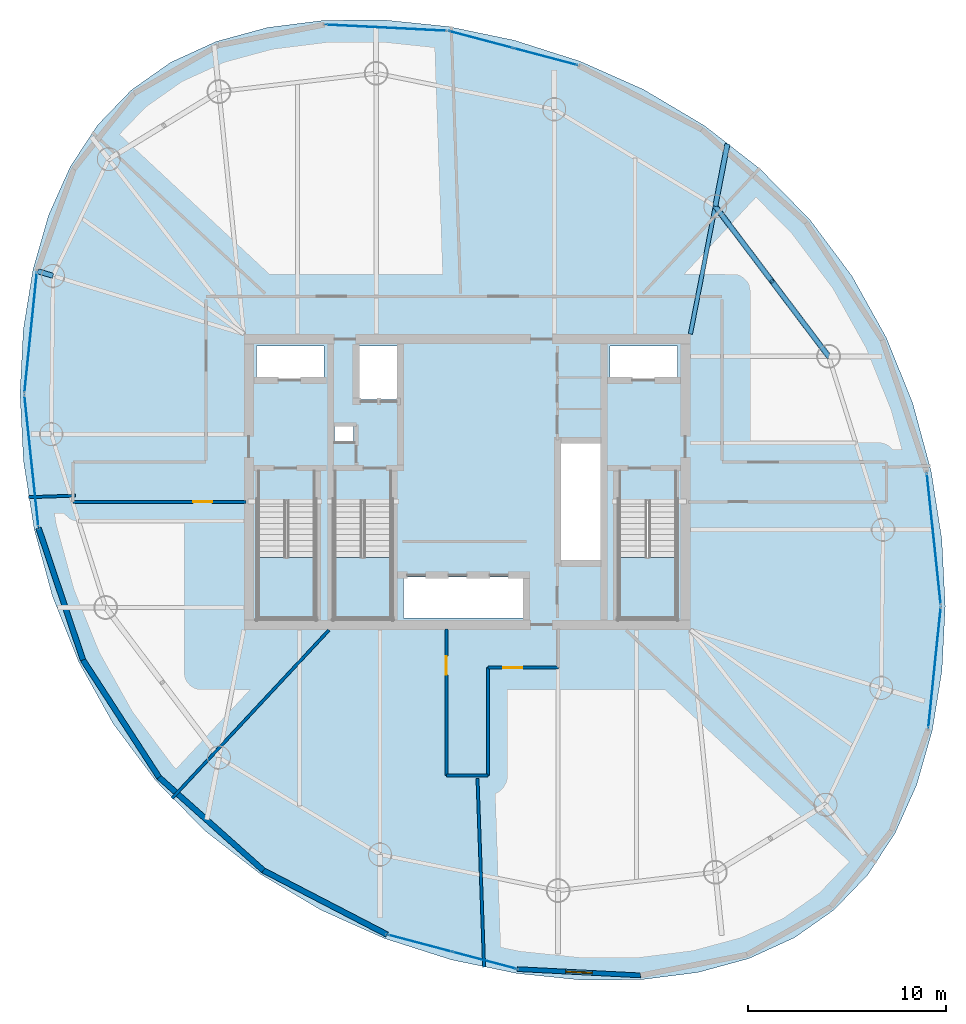
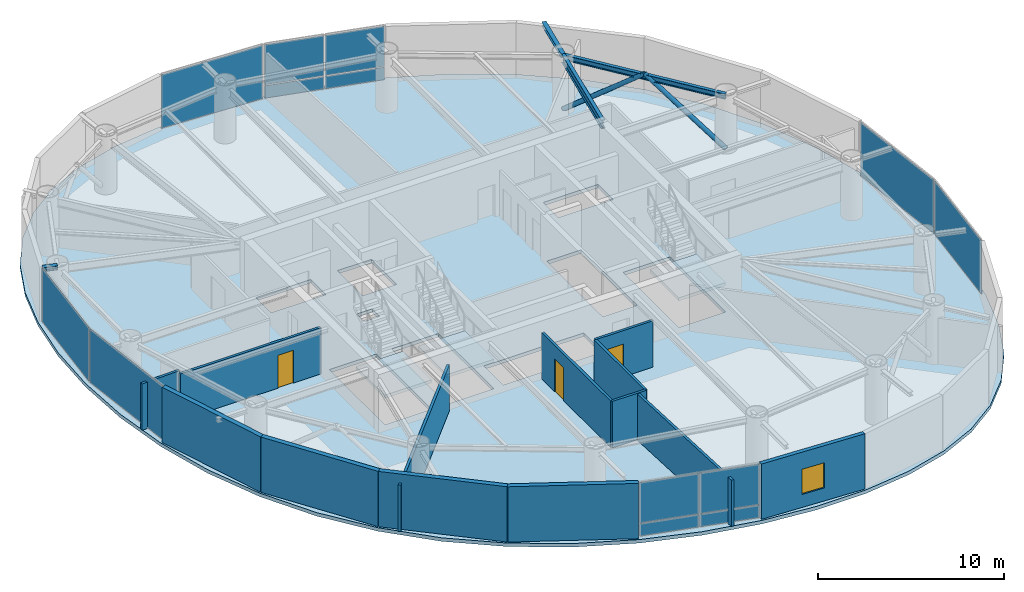
# One storey, part 14 of 20: 13 plates, 13 walls, 4 beams, 4 slabs, 3 doors, 2 members, 1 window, 4 openings, 10 elements without a shape of their own.
"""IFC4 building model written with IfcOpenShell, lengths in metres."""

from ifc_helpers import new_model, si_unit, direction, frame, frame_2d, origin, origin_2d, place, context, subcontext, project, spatial, polyline, rectangle, hollow_circle, i_section, outline, extrude, material, layer, layer_set, material_profile, profile_set, type_object, element, fill, aggregate, save


model = new_model("IFC4")

# Units and contexts
model_context = context("Model", 3, precision=1e-05, world=origin(), true_north=direction((0.0, 1.0)))
body_context = subcontext(model_context, "Body", "Model", "MODEL_VIEW")
ifc_project = project(units=[si_unit("LENGTHUNIT", "METRE"), si_unit("AREAUNIT", "SQUARE_METRE"), si_unit("VOLUMEUNIT", "CUBIC_METRE"), si_unit("PLANEANGLEUNIT", "RADIAN"), si_unit("MASSUNIT", "GRAM", prefix="KILO")], contexts=[model_context])

# Site, building, storey
site_placement = place(None, origin())
site = spatial("IfcSite", under=ifc_project, at=site_placement, CompositionType="ELEMENT")
building_placement = place(site_placement, origin())
building = spatial("IfcBuilding", under=site, at=building_placement, Name="Bramvorn Convention Spire", CompositionType="ELEMENT")
storey_placement = place(building_placement, frame((0.0, 0.0, 228.949951171875)))
storey = spatial("IfcBuildingStorey", under=building, at=storey_placement, Name="L58", CompositionType="ELEMENT", Elevation=228.949951171875)

# Beams
ifc_material_1 = material(Name="Steel CSA G40.21 Grade 350 (350W)", Category="steel")
ifc_material_profile_1 = material_profile(ifc_material_1, i_section(OverallWidth=0.25390625, OverallDepth=0.2529296875, WebThickness=0.008544921875, FlangeThickness=0.01416015625, FilletRadius=0.011962890625, at=origin_2d()))
ifc_profile_set_1 = profile_set([ifc_material_profile_1], Name="Steel CSA G40.21 Grade 350 (350W) - W250X73")
beam_type_1 = type_object("IfcBeamType", Name="BM-W250X73", PredefinedType="BEAM", material=ifc_profile_set_1)
beam_1_placement = place(storey_placement, frame((50.501953125, 39.885009765625, 3.49365234375), z_axis=(0.190977895588, 0.981594337492, 0.0), x_axis=(-0.981594337492, 0.190977895588, 0.0)))
element("IfcBeam", 1, at=beam_1_placement, inside=storey, type_object=beam_type_1, Name="L58 slab-edge cantilever tip beam MC05", PredefinedType="BEAM", context=body_context, shape_type="SweptSolid", body=[
    extrude(i_section(OverallWidth=0.25390625, OverallDepth=0.2529296875, WebThickness=0.008544921875, FlangeThickness=0.01416015625, FilletRadius=0.011962890625, at=origin_2d()), origin(), (0.0, 0.0, 1.0), 3.19970703125),
])
beam_2_placement = place(storey_placement, frame((17.136962890625, 36.380615234375, 3.49365234375), z_axis=(-0.956599941343, 0.291404447841, 0.0), x_axis=(-0.291404447841, -0.956599941343, 0.0)))
element("IfcBeam", 2, at=beam_2_placement, inside=storey, type_object=beam_type_1, Name="L58 slab-edge cantilever tip beam MC10", PredefinedType="BEAM", context=body_context, shape_type="SweptSolid", body=[
    extrude(i_section(OverallWidth=0.25390625, OverallDepth=0.2529296875, WebThickness=0.008544921875, FlangeThickness=0.01416015625, FilletRadius=0.011962890625, at=origin_2d()), origin(), (0.0, 0.0, 1.0), 0.800048828125),
])
ifc_material_profile_2 = material_profile(ifc_material_1, i_section(OverallWidth=0.205078125, OverallDepth=0.35400390625, WebThickness=0.009521484375, FlangeThickness=0.016845703125, FilletRadius=0.014892578125, at=origin_2d()))
ifc_profile_set_2 = profile_set([ifc_material_profile_2], Name="Steel CSA G40.21 Grade 350 (350W) - W360X79")
beam_type_2 = type_object("IfcBeamType", Name="BM-W360X79", PredefinedType="JOIST", material=ifc_profile_set_2)
beam_3_placement = place(storey_placement, frame((56.21044921875, 32.327392578125, 3.443115234375), z_axis=(-0.602718581414, 0.797953827999, 0.0), x_axis=(-0.797953827999, -0.602718581414, 0.0)))
element("IfcBeam", 3, at=beam_3_placement, inside=storey, type_object=beam_type_2, Name="L58 mega-column ring beam 04", PredefinedType="JOIST", context=body_context, shape_type="SweptSolid", body=[
    extrude(i_section(OverallWidth=0.205078125, OverallDepth=0.35400390625, WebThickness=0.009521484375, FlangeThickness=0.016845703125, FilletRadius=0.014892578125, at=origin_2d()), origin(), (0.0, 0.0, 1.0), 9.47119140625),
])
ifc_material_profile_3 = material_profile(ifc_material_1, i_section(OverallWidth=0.2119140625, OverallDepth=0.5439453125, WebThickness=0.01318359375, FlangeThickness=0.021240234375, FilletRadius=0.01904296875, at=origin_2d()))
ifc_profile_set_3 = profile_set([ifc_material_profile_3], Name="Steel CSA G40.21 Grade 350 (350W) - W530X123")
beam_type_3 = type_object("IfcBeamType", Name="BM-W530X123", PredefinedType="BEAM", material=ifc_profile_set_3)
beam_4_placement = place(storey_placement, frame((49.25, 33.449951171875, 3.34814453125), z_axis=(0.190971329886, 0.981595614885, 0.0), x_axis=(-0.981595614885, 0.190971329886, 0.0)))
element("IfcBeam", 4, at=beam_4_placement, inside=storey, type_object=beam_type_3, Name="L58 radial floor girder MC05", PredefinedType="BEAM", context=body_context, shape_type="SweptSolid", body=[
    extrude(i_section(OverallWidth=0.2119140625, OverallDepth=0.5439453125, WebThickness=0.01318359375, FlangeThickness=0.021240234375, FilletRadius=0.01904296875, at=origin_2d()), origin(), (0.0, 0.0, 1.0), 6.5556640625),
])

# Members
ifc_material_profile_4 = material_profile(ifc_material_1, hollow_circle(Radius=0.136474609375, WallThickness=0.0126953125, at=origin_2d()))
ifc_profile_set_4 = profile_set([ifc_material_profile_4], Name="Steel CSA G40.21 Grade 350 (350W) - CHS273X13")
member_type = type_object("IfcMemberType", Name="MBR-CHS273X13", PredefinedType="BRACE", material=ifc_profile_set_4)
for number, where, z_axis, x_axis, name in (
    (5, (56.21044921875, 32.327392578125, 0.0), (-0.478834801206, 0.633941070316, 0.607318658137), (-0.797953827999, -0.602718581414, 0.0), "L58 perimeter Gothic lancet brace 4A"),
    (6, (50.501953125, 39.885009765625, 0.0), (0.478834801206, -0.633941070316, 0.607318658137), (0.797953827999, 0.602718581414, 0.0), "L58 perimeter Gothic lancet brace 4B"),
):
    element("IfcMember", number, at=place(storey_placement, frame(where, z_axis=z_axis, x_axis=x_axis)), inside=storey, type_object=member_type, Name=name, PredefinedType="BRACE", context=body_context, shape_type="SweptSolid", body=[
        extrude(hollow_circle(Radius=0.136474609375, WallThickness=0.0126953125, at=origin_2d()), origin(), (0.0, 0.0, 1.0), 5.9609375),
    ])

# Curtain wall, plate
ifc_material_2 = material(Name="Anodised Bronze Unitised Curtain Wall", Category="aluminium")
ifc_layer_1 = layer(ifc_material_2, 0.179931640625)
ifc_layer_set_1 = layer_set([ifc_layer_1], Name="Anodised Bronze Unitised Curtain Wall - CW-OFF-FRIT")
curtain_wall_type = type_object("IfcCurtainWallType", Name="CW-OFF-FRIT", PredefinedType="USERDEFINED", material=ifc_layer_set_1)
curtain_wall_1_placement = place(storey_placement, origin())
curtain_wall_1 = element("IfcCurtainWall", 7, at=curtain_wall_1_placement, inside=storey, type_object=curtain_wall_type, Name="L58 fritted glass curtain wall 03", ObjectType="UNITISED CURTAIN WALL", PredefinedType="USERDEFINED")
ifc_material_3 = material(Name="Laminated Low-E Glass (Triple IGU Solar Bronze Frit 28%)", Category="glass")
ifc_layer_2 = layer(ifc_material_3, 0.0400390625)
ifc_layer_set_2 = layer_set([ifc_layer_2], Name="Laminated Low-E Glass (Triple IGU Solar Bronze Frit 28%) - PNL-IGU-3")
plate_type = type_object("IfcPlateType", Name="PNL-IGU-3", PredefinedType="CURTAIN_PANEL", material=ifc_layer_set_2)
plate_1_placement = place(storey_placement, frame((61.550537109375, 16.655029296875, 0.06005859375), z_axis=(0.0, 0.0, 1.0), x_axis=(-0.102419677219, -0.994741277779, 0.0)))
plate_1 = element("IfcPlate", 8, at=plate_1_placement, type_object=plate_type, Name="CW3 panel 1.1", PredefinedType="CURTAIN_PANEL", context=body_context, shape_type="SweptSolid", body=[
    extrude(rectangle(XDim=6.1064453125, YDim=0.028076171875, at=origin_2d()), origin(), (0.0, 0.0, 1.0), 3.5),
])
aggregate(curtain_wall_1, [plate_1])

curtain_wall_2_placement = place(storey_placement, origin())
curtain_wall_2 = element("IfcCurtainWall", 9, at=curtain_wall_2_placement, inside=storey, type_object=curtain_wall_type, Name="L58 fritted glass curtain wall 04", ObjectType="UNITISED CURTAIN WALL", PredefinedType="USERDEFINED")
plate_2_placement = place(storey_placement, frame((61.51220703125, 23.125244140625, 0.06005859375), z_axis=(0.0, 0.0, 1.0), x_axis=(0.10534229921, -0.994436021068, 0.0)))
plate_2 = element("IfcPlate", 10, at=plate_2_placement, type_object=plate_type, Name="CW3 panel 1.1", PredefinedType="CURTAIN_PANEL", context=body_context, shape_type="SweptSolid", body=[
    extrude(rectangle(XDim=6.66455078125, YDim=0.028076171875, at=origin_2d()), origin(), (0.0, 0.0, 1.0), 3.5),
])
aggregate(curtain_wall_2, [plate_2])

# Curtain wall, plates
curtain_wall_3_placement = place(storey_placement, origin())
curtain_wall_3 = element("IfcCurtainWall", 11, at=curtain_wall_3_placement, inside=storey, type_object=curtain_wall_type, Name="L58 fritted glass curtain wall 09", ObjectType="UNITISED CURTAIN WALL", PredefinedType="USERDEFINED")
plate_3_placement = place(storey_placement, frame((38.69287109375, 48.28369140625, 0.06005859375), z_axis=(0.0, 0.0, 1.0), x_axis=(0.966611865516, -0.256245002768, 0.0)))
plate_3 = element("IfcPlate", 12, at=plate_3_placement, type_object=plate_type, Name="CW3 panel 1.1", PredefinedType="CURTAIN_PANEL", context=body_context, shape_type="SweptSolid", body=[
    extrude(rectangle(XDim=3.30224609375, YDim=0.028076171875, at=origin_2d()), origin(), (0.0, 0.0, 1.0), 0.81005859375),
])
plate_4_placement = place(storey_placement, frame((38.69287109375, 48.28369140625, 0.93017578125), z_axis=(0.0, 0.0, 1.0), x_axis=(0.966611865516, -0.256245002768, 0.0)))
plate_4 = element("IfcPlate", 13, at=plate_4_placement, type_object=plate_type, Name="CW3 panel 1.2", PredefinedType="CURTAIN_PANEL", context=body_context, shape_type="SweptSolid", body=[
    extrude(rectangle(XDim=3.30224609375, YDim=0.028076171875, at=origin_2d()), origin(), (0.0, 0.0, 1.0), 2.6298828125),
])
plate_5_placement = place(storey_placement, frame((41.94287109375, 47.422119140625, 0.06005859375), z_axis=(0.0, 0.0, 1.0), x_axis=(0.966611865516, -0.256245002768, 0.0)))
plate_5 = element("IfcPlate", 14, at=plate_5_placement, type_object=plate_type, Name="CW3 panel 2.1", PredefinedType="CURTAIN_PANEL", context=body_context, shape_type="SweptSolid", body=[
    extrude(rectangle(XDim=3.30224609375, YDim=0.028076171875, at=origin_2d()), origin(), (0.0, 0.0, 1.0), 0.81005859375),
])
plate_6_placement = place(storey_placement, frame((41.94287109375, 47.422119140625, 0.93017578125), z_axis=(0.0, 0.0, 1.0), x_axis=(0.966611865516, -0.256245002768, 0.0)))
plate_6 = element("IfcPlate", 15, at=plate_6_placement, type_object=plate_type, Name="CW3 panel 2.2", PredefinedType="CURTAIN_PANEL", context=body_context, shape_type="SweptSolid", body=[
    extrude(rectangle(XDim=3.30224609375, YDim=0.028076171875, at=origin_2d()), origin(), (0.0, 0.0, 1.0), 2.6298828125),
])
aggregate(curtain_wall_3, [plate_3, plate_4, plate_5, plate_6])

# Curtain wall, plate
curtain_wall_4_placement = place(storey_placement, origin())
curtain_wall_4 = element("IfcCurtainWall", 16, at=curtain_wall_4_placement, inside=storey, type_object=curtain_wall_type, Name="L58 fritted glass curtain wall 10", ObjectType="UNITISED CURTAIN WALL", PredefinedType="USERDEFINED")
plate_7_placement = place(storey_placement, frame((33.9296875, 48.880859375, 0.06005859375), z_axis=(0.0, 0.0, 1.0), x_axis=(0.998700669219, -0.050960507272, 0.0)))
plate_7 = element("IfcPlate", 17, at=plate_7_placement, type_object=plate_type, Name="CW3 panel 1.1", PredefinedType="CURTAIN_PANEL", context=body_context, shape_type="SweptSolid", body=[
    extrude(rectangle(XDim=6.1064453125, YDim=0.028076171875, at=origin_2d()), origin(), (0.0, 0.0, 1.0), 3.5),
])
aggregate(curtain_wall_4, [plate_7])

curtain_wall_5_placement = place(storey_placement, origin())
curtain_wall_5 = element("IfcCurtainWall", 18, at=curtain_wall_5_placement, inside=storey, type_object=curtain_wall_type, Name="L58 fritted glass curtain wall 15", ObjectType="UNITISED CURTAIN WALL", PredefinedType="USERDEFINED")
plate_8_placement = place(storey_placement, frame((16.01123046875, 33.522705078125, 0.06005859375), z_axis=(0.0, 0.0, 1.0), x_axis=(0.102433932988, 0.994739809886, 0.0)))
plate_8 = element("IfcPlate", 19, at=plate_8_placement, type_object=plate_type, Name="CW3 panel 1.1", PredefinedType="CURTAIN_PANEL", context=body_context, shape_type="SweptSolid", body=[
    extrude(rectangle(XDim=6.1064453125, YDim=0.028076171875, at=origin_2d()), origin(), (0.0, 0.0, 1.0), 3.5),
])
aggregate(curtain_wall_5, [plate_8])

curtain_wall_6_placement = place(storey_placement, origin())
curtain_wall_6 = element("IfcCurtainWall", 20, at=curtain_wall_6_placement, inside=storey, type_object=curtain_wall_type, Name="L58 fritted glass curtain wall 16", ObjectType="UNITISED CURTAIN WALL", PredefinedType="USERDEFINED")
plate_9_placement = place(storey_placement, frame((16.049560546875, 27.052490234375, 0.06005859375), z_axis=(0.0, 0.0, 1.0), x_axis=(-0.105343843268, 0.994435857502, 0.0)))
plate_9 = element("IfcPlate", 21, at=plate_9_placement, type_object=plate_type, Name="CW3 panel 1.1", PredefinedType="CURTAIN_PANEL", context=body_context, shape_type="SweptSolid", body=[
    extrude(rectangle(XDim=6.66455078125, YDim=0.028076171875, at=origin_2d()), origin(), (0.0, 0.0, 1.0), 3.5),
])
aggregate(curtain_wall_6, [plate_9])

# Curtain wall, plates
curtain_wall_7_placement = place(storey_placement, origin())
curtain_wall_7 = element("IfcCurtainWall", 22, at=curtain_wall_7_placement, inside=storey, type_object=curtain_wall_type, Name="L58 fritted glass curtain wall 21", ObjectType="UNITISED CURTAIN WALL", PredefinedType="USERDEFINED")
plate_10_placement = place(storey_placement, frame((38.868896484375, 1.89404296875, 0.06005859375), z_axis=(0.0, 0.0, 1.0), x_axis=(-0.96661551623, 0.256231231085, 0.0)))
plate_10 = element("IfcPlate", 23, at=plate_10_placement, type_object=plate_type, Name="CW3 panel 1.1", PredefinedType="CURTAIN_PANEL", context=body_context, shape_type="SweptSolid", body=[
    extrude(rectangle(XDim=3.30224609375, YDim=0.028076171875, at=origin_2d()), origin(), (0.0, 0.0, 1.0), 0.81005859375),
])
plate_11_placement = place(storey_placement, frame((38.868896484375, 1.89404296875, 0.93017578125), z_axis=(0.0, 0.0, 1.0), x_axis=(-0.96661551623, 0.256231231085, 0.0)))
plate_11 = element("IfcPlate", 24, at=plate_11_placement, type_object=plate_type, Name="CW3 panel 1.2", PredefinedType="CURTAIN_PANEL", context=body_context, shape_type="SweptSolid", body=[
    extrude(rectangle(XDim=3.30224609375, YDim=0.028076171875, at=origin_2d()), origin(), (0.0, 0.0, 1.0), 2.6298828125),
])
plate_12_placement = place(storey_placement, frame((35.618896484375, 2.755615234375, 0.06005859375), z_axis=(0.0, 0.0, 1.0), x_axis=(-0.96661551623, 0.256231231085, 0.0)))
plate_12 = element("IfcPlate", 25, at=plate_12_placement, type_object=plate_type, Name="CW3 panel 2.1", PredefinedType="CURTAIN_PANEL", context=body_context, shape_type="SweptSolid", body=[
    extrude(rectangle(XDim=3.30224609375, YDim=0.028076171875, at=origin_2d()), origin(), (0.0, 0.0, 1.0), 0.81005859375),
])
plate_13_placement = place(storey_placement, frame((35.618896484375, 2.755615234375, 0.93017578125), z_axis=(0.0, 0.0, 1.0), x_axis=(-0.96661551623, 0.256231231085, 0.0)))
plate_13 = element("IfcPlate", 26, at=plate_13_placement, type_object=plate_type, Name="CW3 panel 2.2", PredefinedType="CURTAIN_PANEL", context=body_context, shape_type="SweptSolid", body=[
    extrude(rectangle(XDim=3.30224609375, YDim=0.028076171875, at=origin_2d()), origin(), (0.0, 0.0, 1.0), 2.6298828125),
])
aggregate(curtain_wall_7, [plate_10, plate_11, plate_12, plate_13])

# Stair, slab
ifc_material_4 = material(Name="Concrete C40/50 Precast Stair", Category="concrete")
stair_type = type_object("IfcStairType", Name="ST-TOWER-1550", PredefinedType="HALF_TURN_STAIR", material=ifc_material_4)
stair_1_placement = place(storey_placement, origin())
stair_1 = element("IfcStair", 27, at=stair_1_placement, inside=storey, type_object=stair_type, Name="L58 Protected Exit Stair ST1", PredefinedType="HALF_TURN_STAIR")
ifc_material_5 = material(Name="Concrete C40/50 Stair Landing", Category="concrete")
ifc_layer_3 = layer(ifc_material_5, 0.219970703125)
ifc_layer_set_3 = layer_set([ifc_layer_3], Name="Concrete C40/50 Stair Landing - SLB-STAIR-LANDING")
slab_type_1 = type_object("IfcSlabType", Name="SLB-STAIR-LANDING", PredefinedType="LANDING", material=ifc_layer_set_3)
slab_1_placement = place(storey_placement, frame((0.0, 0.0, 1.72509765625)))
slab_1 = element("IfcSlab", 28, at=slab_1_placement, type_object=slab_type_1, Name="ST1 landing 1", PredefinedType="LANDING", context=body_context, shape_type="SweptSolid", body=[
    extrude(outline(polyline([(27.449951171875, 22.199951171875), (27.449951171875, 19.10009765625), (30.35009765625, 19.10009765625), (30.35009765625, 22.199951171875), (27.449951171875, 22.199951171875)])), origin(), (0.0, 0.0, 1.0), 0.199951171875),
])
aggregate(stair_1, [slab_1])

stair_2_placement = place(storey_placement, origin())
stair_2 = element("IfcStair", 29, at=stair_2_placement, inside=storey, type_object=stair_type, Name="L58 Protected Exit Stair ST2", PredefinedType="HALF_TURN_STAIR")
slab_2_placement = place(storey_placement, frame((0.0, 0.0, 1.72509765625)))
slab_2 = element("IfcSlab", 30, at=slab_2_placement, type_object=slab_type_1, Name="ST2 landing 1", PredefinedType="LANDING", context=body_context, shape_type="SweptSolid", body=[
    extrude(outline(polyline([(45.64990234375, 22.199951171875), (45.64990234375, 19.10009765625), (48.550048828125, 19.10009765625), (48.550048828125, 22.199951171875), (45.64990234375, 22.199951171875)])), origin(), (0.0, 0.0, 1.0), 0.199951171875),
])
aggregate(stair_2, [slab_2])

stair_3_placement = place(storey_placement, origin())
stair_3 = element("IfcStair", 31, at=stair_3_placement, inside=storey, type_object=stair_type, Name="L58 Protected Exit Stair ST3", PredefinedType="HALF_TURN_STAIR")
slab_3_placement = place(storey_placement, frame((0.0, 0.0, 1.72509765625)))
slab_3 = element("IfcSlab", 32, at=slab_3_placement, type_object=slab_type_1, Name="ST3 landing 1", PredefinedType="LANDING", context=body_context, shape_type="SweptSolid", body=[
    extrude(outline(polyline([(31.300048828125, 22.199951171875), (31.300048828125, 19.10009765625), (34.199951171875, 19.10009765625), (34.199951171875, 22.199951171875), (31.300048828125, 22.199951171875)])), origin(), (0.0, 0.0, 1.0), 0.199951171875),
])
aggregate(stair_3, [slab_3])

# Slab
ifc_material_6 = material(Name="Concrete C40/50", Category="concrete")
ifc_layer_4 = layer(ifc_material_6, 0.22998046875)
ifc_layer_set_4 = layer_set([ifc_layer_4], Name="Concrete C40/50 - SLB-Z3-230")
slab_type_2 = type_object("IfcSlabType", Name="SLB-Z3-230", PredefinedType="FLOOR", material=ifc_layer_set_4)
slab_4_placement = place(storey_placement, frame((0.0, 0.0, -0.22998046875)))
element("IfcSlab", 33, at=slab_4_placement, inside=storey, type_object=slab_type_2, Name="L58 tower floor slab", PredefinedType="FLOOR", context=body_context, shape_type="SweptSolid", body=[
    extrude(outline(polyline([(56.48193359375, 4.436767578125), (58.168701171875, 6.188720703125), (59.55517578125, 8.291259765625), (60.64453125, 10.731201171875), (61.435791015625, 13.482177734375), (61.92236328125, 16.50244140625), (62.0888671875, 19.73486328125), (61.9150390625, 23.10888671875), (61.376708984375, 26.5439453125), (60.4521484375, 29.9541015625), (59.125, 33.25390625), (57.391357421875, 36.364013671875), (55.26318359375, 39.2158203125), (52.7705078125, 41.75537109375), (49.962158203125, 43.9443359375), (46.904296875, 45.760498046875), (43.67578125, 47.1962890625), (40.363525390625, 48.25341796875), (37.055908203125, 48.94140625), (33.8359375, 49.271484375), (30.77685546875, 49.2529296875), (27.937255859375, 48.8916015625), (25.359375, 48.188232421875), (23.0693359375, 47.139892578125), (21.079833984375, 45.7412109375), (19.393310546875, 43.989013671875), (18.006591796875, 41.886474609375), (16.91748046875, 39.446533203125), (16.1259765625, 36.695556640625), (15.6396484375, 33.67529296875), (15.472900390625, 30.44287109375), (15.64697265625, 27.068603515625), (16.18505859375, 23.6337890625), (17.10986328125, 20.2236328125), (18.43701171875, 16.923828125), (20.17041015625, 13.813720703125), (22.298583984375, 10.9619140625), (24.79150390625, 8.42236328125), (27.599609375, 6.2333984375), (30.65771484375, 4.4169921875), (33.885986328125, 2.981689453125), (37.1982421875, 1.92431640625), (40.506103515625, 1.236083984375), (43.72607421875, 0.90625), (46.784912109375, 0.9248046875), (49.624755859375, 1.2861328125), (52.20263671875, 1.989501953125), (54.492431640625, 3.0380859375), (56.48193359375, 4.436767578125)]), holes=[polyline([(27.449951171875, 25.050048828125), (27.449951171875, 19.10009765625), (30.35009765625, 19.10009765625), (30.35009765625, 25.050048828125), (27.449951171875, 25.050048828125)]), polyline([(45.64990234375, 25.050048828125), (45.64990234375, 19.10009765625), (48.550048828125, 19.10009765625), (48.550048828125, 25.050048828125), (45.64990234375, 25.050048828125)]), polyline([(31.300048828125, 25.050048828125), (31.300048828125, 19.10009765625), (34.199951171875, 19.10009765625), (34.199951171875, 25.050048828125), (31.300048828125, 25.050048828125)]), polyline([(27.39990234375, 31.219970703125), (30.800048828125, 31.219970703125), (30.800048828125, 32.85009765625), (27.39990234375, 32.85009765625), (27.39990234375, 31.219970703125)]), polyline([(45.199951171875, 31.219970703125), (48.60009765625, 31.219970703125), (48.60009765625, 32.85009765625), (45.199951171875, 32.85009765625), (45.199951171875, 31.219970703125)]), polyline([(32.449951171875, 30.14990234375), (34.56005859375, 30.14990234375), (34.56005859375, 32.85009765625), (32.449951171875, 32.85009765625), (32.449951171875, 30.14990234375)]), polyline([(34.800048828125, 19.14990234375), (40.97998046875, 19.14990234375), (40.97998046875, 21.199951171875), (34.800048828125, 21.199951171875), (34.800048828125, 19.14990234375)]), polyline([(42.6201171875, 22.0), (44.75, 22.0), (44.75, 28.0), (42.6201171875, 28.0), (42.6201171875, 22.0)]), polyline([(31.320068359375, 28.02001953125), (32.280029296875, 28.02001953125), (32.280029296875, 28.820068359375), (31.320068359375, 28.820068359375), (31.320068359375, 28.02001953125)])]), origin(), (0.0, 0.0, 1.0), 0.22998046875),
])

# Walls
ifc_material_7 = material(Name="Precast Concrete C40/50 with Bronze Terracotta Rainscreen", Category="masonry")
ifc_layer_5 = layer(ifc_material_7, 0.300048828125)
ifc_layer_set_5 = layer_set([ifc_layer_5], Name="Precast Concrete C40/50 with Bronze Terracotta Rainscreen - WL-EXT-BRONZE-300")
wall_type_1 = type_object("IfcWallType", Name="WL-EXT-BRONZE-300", PredefinedType="SOLIDWALL", material=ifc_layer_set_5)
wall_1_placement = place(storey_placement, frame((18.646484375, 17.028564453125, 0.0), z_axis=(0.0, 0.0, 1.0), x_axis=(-0.319127764791, 0.947711701806, 0.0)))
element("IfcWall", 34, at=wall_1_placement, inside=storey, type_object=wall_type_1, Name="L58 expressed bronze Gothic lancet pier wall 17", PredefinedType="SOLIDWALL", context=body_context, shape_type="SweptSolid", body=[
    extrude(rectangle(XDim=7.017578125, YDim=0.280029296875, at=frame_2d((3.5087890625, 0.0))), origin(), (0.0, 0.0, 1.0), 3.6201171875),
])
for number, where, z_axis, x_axis, name in (
    (35, (22.47900390625, 11.116455078125, 0.0), (0.0, 0.0, 1.0), (-0.543955098857, 0.839114325004, 0.0), "L58 expressed bronze Gothic lancet pier wall 18"),
    (36, (27.735107421875, 6.424560546875, 0.0), (0.0, 0.0, 1.0), (-0.746012050709, 0.665932444169, 0.0), "L58 expressed bronze Gothic lancet pier wall 19"),
):
    element("IfcWall", number, at=place(storey_placement, frame(where, z_axis=z_axis, x_axis=x_axis)), inside=storey, type_object=wall_type_1, Name=name, PredefinedType="SOLIDWALL", context=body_context, shape_type="SweptSolid", body=[
        extrude(rectangle(XDim=7.045654296875, YDim=0.280029296875, at=frame_2d((3.52294921875, 0.0))), origin(), (0.0, 0.0, 1.0), 3.6201171875),
    ])
wall_2_placement = place(storey_placement, frame((33.96484375, 3.194091796875, 0.0), z_axis=(0.0, 0.0, 1.0), x_axis=(-0.887740840653, 0.460343567172, 0.0)))
element("IfcWall", 37, at=wall_2_placement, inside=storey, type_object=wall_type_1, Name="L58 expressed bronze Gothic lancet pier wall 20", PredefinedType="SOLIDWALL", context=body_context, shape_type="SweptSolid", body=[
    extrude(rectangle(XDim=7.017578125, YDim=0.280029296875, at=frame_2d((3.5087890625, 0.0))), origin(), (0.0, 0.0, 1.0), 3.6201171875),
])

# Wall, opening, window
wall_3_placement = place(storey_placement, frame((46.7412109375, 1.13818359375, 0.0), z_axis=(0.0, 0.0, 1.0), x_axis=(-0.99869997625, 0.050974085949, 0.0)))
wall_3 = element("IfcWall", 38, at=wall_3_placement, inside=storey, type_object=wall_type_1, Name="L58 bronze ceramic-frit spandrel & operable window bay 22", PredefinedType="SOLIDWALL", context=body_context, shape_type="SweptSolid", body=[
    extrude(rectangle(XDim=6.226318359375, YDim=0.239990234375, at=frame_2d((3.11328125, 0.0))), origin(), (0.0, 0.0, 1.0), 3.6201171875),
])
opening_1_placement = place(wall_3_placement, frame((2.438232421875, 0.0, 0.85009765625)))
opening_1 = element("IfcOpeningElement", 39, at=opening_1_placement, cuts=wall_3, Name="Opening WN07", PredefinedType="OPENING", context=body_context, shape_type="SweptSolid", body=[
    extrude(rectangle(XDim=1.35009765625, YDim=1.64990234375, at=frame_2d((0.675048828125, 0.824951171875))), frame((0.0, 0.1298828125, 0.0), z_axis=(0.0, -1.0, 0.0), x_axis=(1.0, 0.0, 0.0)), (0.0, 0.0, 1.0), 0.260009765625),
])
ifc_material_8 = material(Name="Thermally Broken Bronze Aluminium & Triple Low-E Glass", Category="aluminium")
window_type = type_object("IfcWindowType", Name="WN-OP-1350X1650", PartitioningType="SINGLE_PANEL", PredefinedType="WINDOW", material=ifc_material_8)
window_placement = place(opening_1_placement, origin())
window = element("IfcWindow", 40, at=window_placement, inside=storey, type_object=window_type, Name="L58 operable parallel-vent window 22", OverallHeight=1.64990234375, OverallWidth=1.35009765625, PartitioningType="SINGLE_PANEL", PredefinedType="WINDOW", context=body_context, shape_type="SweptSolid", body=[
    extrude(rectangle(XDim=1.35009765625, YDim=1.64990234375, at=frame_2d((0.675048828125, 0.824951171875))), frame((0.0, 0.030029296875, 0.0), z_axis=(0.0, -1.0, 0.0), x_axis=(1.0, 0.0, 0.0)), (0.0, 0.0, 1.0), 0.06005859375),
])
fill(opening_1, window)

# Wall, opening, door
ifc_material_9 = material(Name="Acoustic Metal-Stud Tenant/Corridor Partition", Category="gypsum")
ifc_layer_6 = layer(ifc_material_9, 0.14990234375)
ifc_layer_set_6 = layer_set([ifc_layer_6], Name="Acoustic Metal-Stud Tenant/Corridor Partition - WL-PART-150")
wall_type_2 = type_object("IfcWallType", Name="WL-PART-150", PredefinedType="PARTITIONING", material=ifc_layer_set_6)
wall_4_placement = place(storey_placement, frame((18.150634765625, 25.0, 0.0), z_axis=(0.0, 0.0, 1.0), x_axis=(1.0, 0.0, 0.0)))
wall_4 = element("IfcWall", 41, at=wall_4_placement, inside=storey, type_object=wall_type_2, Name="L58 West wing spine south wall", PredefinedType="PARTITIONING", context=body_context, shape_type="SweptSolid", body=[
    extrude(rectangle(XDim=8.699462890625, YDim=0.14990234375, at=frame_2d((4.349609375, 0.0))), origin(), (0.0, 0.0, 1.0), 3.03515625),
])
opening_2_placement = place(wall_4_placement, frame((6.049560546875, 0.0, 0.0)))
opening_2 = element("IfcOpeningElement", 42, at=opening_2_placement, cuts=wall_4, Name="Opening DH-095", PredefinedType="OPENING", context=body_context, shape_type="SweptSolid", body=[
    extrude(rectangle(XDim=0.949951171875, YDim=2.14990234375, at=frame_2d((0.47509765625, 1.074951171875))), frame((0.0, 0.0849609375, 0.0), z_axis=(0.0, -1.0, 0.0), x_axis=(1.0, 0.0, 0.0)), (0.0, 0.0, 1.0), 0.169921875),
])
ifc_material_10 = material(Name="Solid-Core Acoustic Guestroom Entry Door", Category="wood")
door_type = type_object("IfcDoorType", Name="DR-HOTEL-950", OperationType="NOTDEFINED", PredefinedType="DOOR", material=ifc_material_10)
door_1_placement = place(opening_2_placement, origin())
door_1 = element("IfcDoor", 43, at=door_1_placement, inside=storey, type_object=door_type, Name="L58 Galley Kitchen 5 door", OperationType="SINGLE_SWING_RIGHT", OverallHeight=2.14990234375, OverallWidth=0.949951171875, PredefinedType="DOOR", context=body_context, shape_type="SweptSolid", body=[
    extrude(rectangle(XDim=0.949951171875, YDim=2.14990234375, at=frame_2d((0.47509765625, 1.074951171875))), frame((0.0, 0.02490234375, 0.0), z_axis=(0.0, -1.0, 0.0), x_axis=(1.0, 0.0, 0.0)), (0.0, 0.0, 1.0), 0.050048828125),
])
fill(opening_2, door_1)

wall_5_placement = place(storey_placement, frame((36.949951171875, 11.199951171875, 0.0), z_axis=(0.0, 0.0, 1.0), x_axis=(0.0, 1.0, 0.0)))
wall_5 = element("IfcWall", 44, at=wall_5_placement, inside=storey, type_object=wall_type_2, Name="L58 South axial spine west wall", PredefinedType="PARTITIONING", context=body_context, shape_type="SweptSolid", body=[
    extrude(rectangle(XDim=7.400146484375, YDim=0.14990234375, at=frame_2d((3.7001953125, 0.0))), origin(), (0.0, 0.0, 1.0), 3.03515625),
])
opening_3_placement = place(wall_5_placement, frame((5.074951171875, 0.0, 0.0)))
opening_3 = element("IfcOpeningElement", 45, at=opening_3_placement, cuts=wall_5, Name="Opening DH-095", PredefinedType="OPENING", context=body_context, shape_type="SweptSolid", body=[
    extrude(rectangle(XDim=0.949951171875, YDim=2.14990234375, at=frame_2d((0.47509765625, 1.074951171875))), frame((0.0, 0.0849609375, 0.0), z_axis=(0.0, -1.0, 0.0), x_axis=(1.0, 0.0, 0.0)), (0.0, 0.0, 1.0), 0.169921875),
])
door_2_placement = place(opening_3_placement, origin())
door_2 = element("IfcDoor", 46, at=door_2_placement, inside=storey, type_object=door_type, Name="L58 Compliance Meeting Room 6 door", OperationType="SINGLE_SWING_RIGHT", OverallHeight=2.14990234375, OverallWidth=0.949951171875, PredefinedType="DOOR", context=body_context, shape_type="SweptSolid", body=[
    extrude(rectangle(XDim=0.949951171875, YDim=2.14990234375, at=frame_2d((0.47509765625, 1.074951171875))), frame((0.0, 0.02490234375, 0.0), z_axis=(0.0, -1.0, 0.0), x_axis=(1.0, 0.0, 0.0)), (0.0, 0.0, 1.0), 0.050048828125),
])
fill(opening_3, door_2)

# Wall
wall_6_placement = place(storey_placement, frame((39.050048828125, 11.199951171875, 0.0), z_axis=(0.0, 0.0, 1.0), x_axis=(0.0, 1.0, 0.0)))
element("IfcWall", 47, at=wall_6_placement, inside=storey, type_object=wall_type_2, Name="L58 South axial spine east wall", PredefinedType="PARTITIONING", context=body_context, shape_type="SweptSolid", body=[
    extrude(rectangle(XDim=5.449951171875, YDim=0.14990234375, at=frame_2d((2.72509765625, 0.0))), origin(), (0.0, 0.0, 1.0), 3.03515625),
])

# Wall, opening, door
wall_7_placement = place(storey_placement, frame((39.050048828125, 16.64990234375, 0.0), z_axis=(0.0, 0.0, 1.0), x_axis=(1.0, 0.0, 0.0)))
wall_7 = element("IfcWall", 48, at=wall_7_placement, inside=storey, type_object=wall_type_2, Name="L58 South lift lobby link wall", PredefinedType="PARTITIONING", context=body_context, shape_type="SweptSolid", body=[
    extrude(rectangle(XDim=3.550048828125, YDim=0.14990234375, at=frame_2d((1.77490234375, 0.0))), origin(), (0.0, 0.0, 1.0), 3.03515625),
])
opening_4_placement = place(wall_7_placement, frame((0.767578125, 0.0, 0.0)))
opening_4 = element("IfcOpeningElement", 49, at=opening_4_placement, cuts=wall_7, Name="Opening DH-095", PredefinedType="OPENING", context=body_context, shape_type="SweptSolid", body=[
    extrude(rectangle(XDim=0.949951171875, YDim=2.14990234375, at=frame_2d((0.47509765625, 1.074951171875))), frame((0.0, 0.0849609375, 0.0), z_axis=(0.0, -1.0, 0.0), x_axis=(1.0, 0.0, 0.0)), (0.0, 0.0, 1.0), 0.169921875),
])
door_3_placement = place(opening_4_placement, origin())
door_3 = element("IfcDoor", 50, at=door_3_placement, inside=storey, type_object=door_type, Name="L58 Server & Tape Store 7 door", OperationType="SINGLE_SWING_RIGHT", OverallHeight=2.14990234375, OverallWidth=0.949951171875, PredefinedType="DOOR", context=body_context, shape_type="SweptSolid", body=[
    extrude(rectangle(XDim=0.949951171875, YDim=2.14990234375, at=frame_2d((0.47509765625, 1.074951171875))), frame((0.0, 0.02490234375, 0.0), z_axis=(0.0, -1.0, 0.0), x_axis=(1.0, 0.0, 0.0)), (0.0, 0.0, 1.0), 0.050048828125),
])
fill(opening_4, door_3)

# Walls
wall_8_placement = place(storey_placement, frame((36.949951171875, 11.199951171875, 0.0), z_axis=(0.0, 0.0, 1.0), x_axis=(1.0, 0.0, 0.0)))
element("IfcWall", 51, at=wall_8_placement, inside=storey, type_object=wall_type_2, Name="L58 South axial spine end wall", PredefinedType="PARTITIONING", context=body_context, shape_type="SweptSolid", body=[
    extrude(rectangle(XDim=2.10009765625, YDim=0.14990234375, at=frame_2d((1.050048828125, 0.0))), origin(), (0.0, 0.0, 1.0), 3.03515625),
])
wall_9_placement = place(storey_placement, frame((18.276123046875, 25.311279296875, 0.0), z_axis=(0.0, 0.0, 1.0), x_axis=(-0.999391742593, -0.034873268218, 0.0)))
element("IfcWall", 52, at=wall_9_placement, inside=storey, type_object=wall_type_2, Name="L58 Tenant suite partition 5", PredefinedType="PARTITIONING", context=body_context, shape_type="SweptSolid", body=[
    extrude(rectangle(XDim=2.373291015625, YDim=0.14990234375, at=frame_2d((1.1865234375, 0.0))), origin(), (0.0, 0.0, 1.0), 3.03515625),
])
wall_10_placement = place(storey_placement, frame((31.0341796875, 18.530029296875, 0.0), z_axis=(0.0, 0.0, 1.0), x_axis=(-0.681996659479, -0.731355287435, 0.0)))
element("IfcWall", 53, at=wall_10_placement, inside=storey, type_object=wall_type_2, Name="L58 Tenant suite partition 6", PredefinedType="PARTITIONING", context=body_context, shape_type="SweptSolid", body=[
    extrude(rectangle(XDim=11.5791015625, YDim=0.14990234375, at=frame_2d((5.78955078125, 0.0))), origin(), (0.0, 0.0, 1.0), 3.03515625),
])
wall_11_placement = place(storey_placement, frame((38.521728515625, 11.06005859375, 0.0), z_axis=(0.0, 0.0, 1.0), x_axis=(0.034889926563, -0.99939116117, 0.0)))
element("IfcWall", 54, at=wall_11_placement, inside=storey, type_object=wall_type_2, Name="L58 Tenant suite partition 7", PredefinedType="PARTITIONING", context=body_context, shape_type="SweptSolid", body=[
    extrude(rectangle(XDim=9.5166015625, YDim=0.14990234375, at=frame_2d((4.75830078125, 0.0))), origin(), (0.0, 0.0, 1.0), 3.03515625),
])

save(model, "model.ifc")
